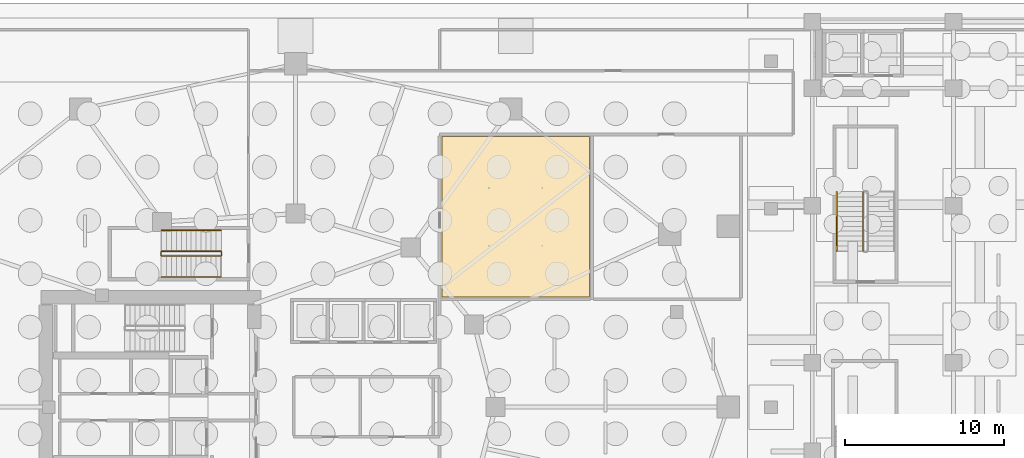
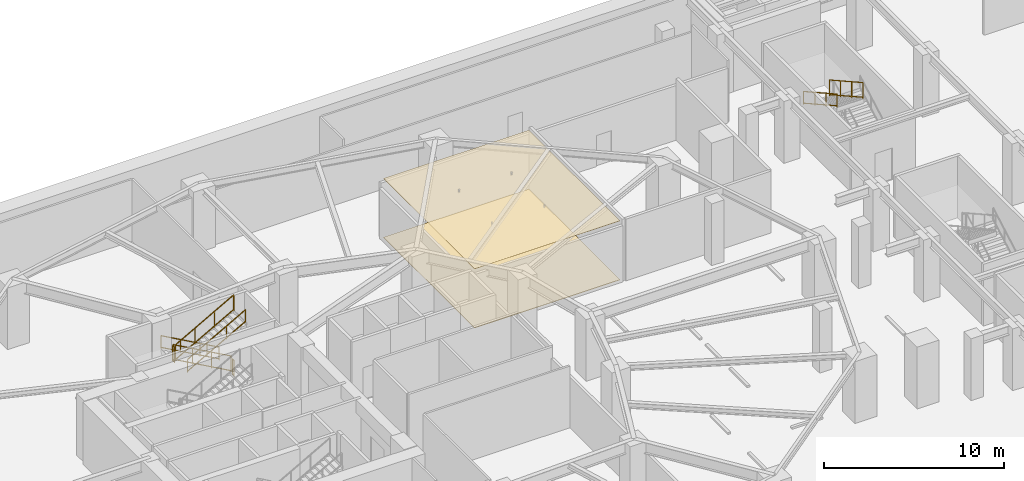
# One storey, part 16 of 19: 8 railings, 2 coverings.
"""IFC4 building model written with IfcOpenShell, lengths in metres."""

from ifc_helpers import new_model, si_unit, direction, frame, origin, origin_2d, place, context, subcontext, project, spatial, polyline, rectangle, outline, extrude, material, layer, layer_set, type_object, element, save


model = new_model("IFC4")

# Units and contexts
model_context = context("Model", 3, precision=1e-05, world=origin(), true_north=direction((0.0, 1.0)))
body_context = subcontext(model_context, "Body", "Model", "MODEL_VIEW")
ifc_project = project(units=[si_unit("LENGTHUNIT", "METRE"), si_unit("AREAUNIT", "SQUARE_METRE"), si_unit("VOLUMEUNIT", "CUBIC_METRE"), si_unit("PLANEANGLEUNIT", "RADIAN"), si_unit("MASSUNIT", "GRAM", prefix="KILO")], contexts=[model_context])

# Site, building, storey
site_placement = place(None, origin())
site = spatial("IfcSite", under=ifc_project, at=site_placement, CompositionType="ELEMENT")
building_placement = place(site_placement, origin())
building = spatial("IfcBuilding", under=site, at=building_placement, Name="Kolvaren Gate Tower and Convention Centre", CompositionType="ELEMENT")
storey_placement = place(building_placement, frame((0.0, 0.0, -13.5)))
storey = spatial("IfcBuildingStorey", under=building, at=storey_placement, Name="B3", CompositionType="ELEMENT", Elevation=-13.5)

# Coverings
ifc_material_1 = material(Name="Perforated Mineral-Fibre Acoustic Ceiling Tile 18 mm", Category="gypsum")
ifc_layer_1 = layer(ifc_material_1, 0.01806640625)
ifc_layer_set_1 = layer_set([ifc_layer_1], Name="Perforated Mineral-Fibre Acoustic Ceiling Tile 18 mm")
covering_type_1 = type_object("IfcCoveringType", Name="ARCH-COV-CEIL-18", PredefinedType="CEILING", material=ifc_layer_set_1)
covering_1_placement = place(storey_placement, frame((0.0, 0.0, 4.0)))
element("IfcCovering", 1, at=covering_1_placement, inside=storey, type_object=covering_type_1, Name="Fire-Protection Cistern and Domestic Water Booster Plant Acoustic Suspended Ceiling", PredefinedType="CEILING", context=body_context, shape_type="SweptSolid", body=[
    extrude(outline(polyline([(39.340087890625, 33.93994140625), (39.340087890625, 44.06005859375), (48.659912109375, 44.06005859375), (48.659912109375, 33.93994140625), (39.340087890625, 33.93994140625)])), origin(), (0.0, 0.0, 1.0), 0.01806640625),
])
ifc_material_2 = material(Name="Honed Sabana Limestone Terrazzo Flooring 30 mm", Category="masonry")
ifc_layer_2 = layer(ifc_material_2, 0.030029296875)
ifc_layer_set_2 = layer_set([ifc_layer_2], Name="Honed Sabana Limestone Terrazzo Flooring 30 mm")
covering_type_2 = type_object("IfcCoveringType", Name="ARCH-COV-FLR-30", PredefinedType="FLOORING", material=ifc_layer_set_2)
covering_2_placement = place(storey_placement, origin())
element("IfcCovering", 2, at=covering_2_placement, inside=storey, type_object=covering_type_2, Name="Fire-Protection Cistern and Domestic Water Booster Plant Interior Finish Flooring", PredefinedType="FLOORING", context=body_context, shape_type="SweptSolid", body=[
    extrude(outline(polyline([(39.340087890625, 33.93994140625), (39.340087890625, 44.06005859375), (48.659912109375, 44.06005859375), (48.659912109375, 33.93994140625), (39.340087890625, 33.93994140625)])), origin(), (0.0, 0.0, 1.0), 0.030029296875),
])

# Railings
ifc_material_3 = material(Name="Brushed Stainless Steel Grade 316L", Category="steel")
railing_type_1 = type_object("IfcRailingType", Name="ARCH-RL-GUARD-1150", PredefinedType="GUARDRAIL", material=ifc_material_3)
railing_1_placement = place(storey_placement, frame((25.39990234375, 36.830078125, 0.173095703125)))
element("IfcRailing", 3, at=railing_1_placement, inside=storey, type_object=railing_type_1, Name="B3 ST-T3 stair guard 1", PredefinedType="GUARDRAIL", context=body_context, shape_type="SweptSolid", body=[
    extrude(rectangle(XDim=0.048095703125, YDim=0.048095703125, at=origin_2d()), frame((0.0, 0.0, 1.076171875), z_axis=(-0.873133609054, 0.0, 0.487480974747), x_axis=(0.0, -1.0, 0.0)), (0.0, 0.0, 1.0), 4.260498046875),
    extrude(rectangle(XDim=0.048095703125, YDim=0.048095703125, at=origin_2d()), frame((0.0, 0.0, 0.083984375), z_axis=(-0.873133609054, 0.0, 0.487480974747), x_axis=(0.0, -1.0, 0.0)), (0.0, 0.0, 1.0), 4.260498046875),
    extrude(rectangle(XDim=0.0419921875, YDim=0.0419921875, at=origin_2d()), origin(), (0.0, 0.0, 1.0), 1.050048828125),
    extrude(rectangle(XDim=0.0419921875, YDim=0.0419921875, at=origin_2d()), frame((-3.719970703125, 0.0, 2.076904296875)), (0.0, 0.0, 1.0), 1.050048828125),
    extrude(rectangle(XDim=0.0419921875, YDim=0.0419921875, at=origin_2d()), frame((-1.239990234375, 0.0, 0.6923828125)), (0.0, 0.0, 1.0), 1.050048828125),
    extrude(rectangle(XDim=0.0419921875, YDim=0.0419921875, at=origin_2d()), frame((-2.47998046875, 0.0, 1.384521484375)), (0.0, 0.0, 1.0), 1.050048828125),
])
railing_2_placement = place(storey_placement, frame((21.6298828125, 36.780029296875, 2.25)))
element("IfcRailing", 4, at=railing_2_placement, inside=storey, type_object=railing_type_1, Name="B3 ST-T3 stair guard 2", PredefinedType="GUARDRAIL", context=body_context, shape_type="SweptSolid", body=[
    extrude(rectangle(XDim=0.048095703125, YDim=0.048095703125, at=origin_2d()), frame((0.0, 0.0, 1.076171875), z_axis=(0.0, -1.0, 0.0), x_axis=(1.0, 0.0, 0.0)), (0.0, 0.0, 1.0), 0.199951171875),
    extrude(rectangle(XDim=0.048095703125, YDim=0.048095703125, at=origin_2d()), frame((0.0, 0.0, 0.083984375), z_axis=(0.0, -1.0, 0.0), x_axis=(1.0, 0.0, 0.0)), (0.0, 0.0, 1.0), 0.199951171875),
    extrude(rectangle(XDim=0.0419921875, YDim=0.0419921875, at=origin_2d()), origin(), (0.0, 0.0, 1.0), 1.050048828125),
    extrude(rectangle(XDim=0.0419921875, YDim=0.0419921875, at=origin_2d()), frame((0.0, -0.199951171875, 0.0)), (0.0, 0.0, 1.0), 1.050048828125),
])
railing_3_placement = place(storey_placement, frame((21.679931640625, 36.530029296875, 2.423095703125)))
element("IfcRailing", 5, at=railing_3_placement, inside=storey, type_object=railing_type_1, Name="B3 ST-T3 stair guard 3", PredefinedType="GUARDRAIL", context=body_context, shape_type="SweptSolid", body=[
    extrude(rectangle(XDim=0.048095703125, YDim=0.048095703125, at=origin_2d()), frame((0.0, 0.0, 1.076171875), z_axis=(0.873133609054, 0.0, 0.487480974747), x_axis=(0.0, 1.0, 0.0)), (0.0, 0.0, 1.0), 4.260498046875),
    extrude(rectangle(XDim=0.048095703125, YDim=0.048095703125, at=origin_2d()), frame((0.0, 0.0, 0.083984375), z_axis=(0.873133609054, 0.0, 0.487480974747), x_axis=(0.0, 1.0, 0.0)), (0.0, 0.0, 1.0), 4.260498046875),
    extrude(rectangle(XDim=0.0419921875, YDim=0.0419921875, at=origin_2d()), origin(), (0.0, 0.0, 1.0), 1.050048828125),
    extrude(rectangle(XDim=0.0419921875, YDim=0.0419921875, at=origin_2d()), frame((3.719970703125, 0.0, 2.076904296875)), (0.0, 0.0, 1.0), 1.050048828125),
    extrude(rectangle(XDim=0.0419921875, YDim=0.0419921875, at=origin_2d()), frame((1.239990234375, 0.0, 0.6923828125)), (0.0, 0.0, 1.0), 1.050048828125),
    extrude(rectangle(XDim=0.0419921875, YDim=0.0419921875, at=origin_2d()), frame((2.47998046875, 0.0, 1.384521484375)), (0.0, 0.0, 1.0), 1.050048828125),
])
railing_4_placement = place(storey_placement, frame((25.449951171875, 36.780029296875, 0.0)))
element("IfcRailing", 6, at=railing_4_placement, inside=storey, type_object=railing_type_1, Name="B3 ST-T3 stair guard 4", PredefinedType="GUARDRAIL", context=body_context, shape_type="SweptSolid", body=[
    extrude(rectangle(XDim=0.048095703125, YDim=0.048095703125, at=origin_2d()), frame((0.0, 0.0, 1.076171875), z_axis=(0.0, -1.0, 0.0), x_axis=(1.0, 0.0, 0.0)), (0.0, 0.0, 1.0), 0.199951171875),
    extrude(rectangle(XDim=0.048095703125, YDim=0.048095703125, at=origin_2d()), frame((0.0, 0.0, 0.083984375), z_axis=(0.0, -1.0, 0.0), x_axis=(1.0, 0.0, 0.0)), (0.0, 0.0, 1.0), 0.199951171875),
    extrude(rectangle(XDim=0.0419921875, YDim=0.0419921875, at=origin_2d()), origin(), (0.0, 0.0, 1.0), 1.050048828125),
    extrude(rectangle(XDim=0.0419921875, YDim=0.0419921875, at=origin_2d()), frame((0.0, -0.199951171875, 0.0)), (0.0, 0.0, 1.0), 1.050048828125),
])
railing_5_placement = place(storey_placement, frame((65.89990234375, 40.570068359375, 2.423095703125)))
element("IfcRailing", 7, at=railing_5_placement, inside=storey, type_object=railing_type_1, Name="B3 ST-C1 stair guard 3", PredefinedType="GUARDRAIL", context=body_context, shape_type="SweptSolid", body=[
    extrude(rectangle(XDim=0.048095703125, YDim=0.048095703125, at=origin_2d()), frame((0.0, 0.0, 1.076171875), z_axis=(0.0, -0.873133609054, 0.487480974747), x_axis=(1.0, 0.0, 0.0)), (0.0, 0.0, 1.0), 4.260498046875),
    extrude(rectangle(XDim=0.048095703125, YDim=0.048095703125, at=origin_2d()), frame((0.0, 0.0, 0.083984375), z_axis=(0.0, -0.873133609054, 0.487480974747), x_axis=(1.0, 0.0, 0.0)), (0.0, 0.0, 1.0), 4.260498046875),
    extrude(rectangle(XDim=0.0419921875, YDim=0.0419921875, at=origin_2d()), origin(), (0.0, 0.0, 1.0), 1.050048828125),
    extrude(rectangle(XDim=0.0419921875, YDim=0.0419921875, at=origin_2d()), frame((0.0, -3.719970703125, 2.076904296875)), (0.0, 0.0, 1.0), 1.050048828125),
    extrude(rectangle(XDim=0.0419921875, YDim=0.0419921875, at=origin_2d()), frame((0.0, -1.239990234375, 0.6923828125)), (0.0, 0.0, 1.0), 1.050048828125),
    extrude(rectangle(XDim=0.0419921875, YDim=0.0419921875, at=origin_2d()), frame((0.0, -2.47998046875, 1.384521484375)), (0.0, 0.0, 1.0), 1.050048828125),
])
railing_type_2 = type_object("IfcRailingType", Name="ARCH-RL-HANDRAIL-920", PredefinedType="HANDRAIL", material=ifc_material_3)
railing_6_placement = place(storey_placement, frame((25.39990234375, 38.14990234375, 0.173095703125)))
element("IfcRailing", 8, at=railing_6_placement, inside=storey, type_object=railing_type_2, Name="B3 ST-T3 stair handrail 1", PredefinedType="HANDRAIL", context=body_context, shape_type="SweptSolid", body=[
    extrude(rectangle(XDim=0.048095703125, YDim=0.048095703125, at=origin_2d()), frame((0.0, 0.0, 0.8759765625), z_axis=(-0.873133609054, 0.0, 0.487480974747), x_axis=(0.0, -1.0, 0.0)), (0.0, 0.0, 1.0), 4.260498046875),
    extrude(rectangle(XDim=0.048095703125, YDim=0.048095703125, at=origin_2d()), frame((0.0, 0.0, 0.083984375), z_axis=(-0.873133609054, 0.0, 0.487480974747), x_axis=(0.0, -1.0, 0.0)), (0.0, 0.0, 1.0), 4.260498046875),
    extrude(rectangle(XDim=0.0419921875, YDim=0.0419921875, at=origin_2d()), origin(), (0.0, 0.0, 1.0), 0.849853515625),
    extrude(rectangle(XDim=0.0419921875, YDim=0.0419921875, at=origin_2d()), frame((-3.719970703125, 0.0, 2.076904296875)), (0.0, 0.0, 1.0), 0.849853515625),
    extrude(rectangle(XDim=0.0419921875, YDim=0.0419921875, at=origin_2d()), frame((-1.239990234375, 0.0, 0.6923828125)), (0.0, 0.0, 1.0), 0.849853515625),
    extrude(rectangle(XDim=0.0419921875, YDim=0.0419921875, at=origin_2d()), frame((-2.47998046875, 0.0, 1.384521484375)), (0.0, 0.0, 1.0), 0.849853515625),
])
railing_7_placement = place(storey_placement, frame((21.679931640625, 35.2099609375, 2.423095703125)))
element("IfcRailing", 9, at=railing_7_placement, inside=storey, type_object=railing_type_2, Name="B3 ST-T3 stair handrail 2", PredefinedType="HANDRAIL", context=body_context, shape_type="SweptSolid", body=[
    extrude(rectangle(XDim=0.048095703125, YDim=0.048095703125, at=origin_2d()), frame((0.0, 0.0, 0.8759765625), z_axis=(0.873133609054, 0.0, 0.487480974747), x_axis=(0.0, 1.0, 0.0)), (0.0, 0.0, 1.0), 4.260498046875),
    extrude(rectangle(XDim=0.048095703125, YDim=0.048095703125, at=origin_2d()), frame((0.0, 0.0, 0.083984375), z_axis=(0.873133609054, 0.0, 0.487480974747), x_axis=(0.0, 1.0, 0.0)), (0.0, 0.0, 1.0), 4.260498046875),
    extrude(rectangle(XDim=0.0419921875, YDim=0.0419921875, at=origin_2d()), origin(), (0.0, 0.0, 1.0), 0.849853515625),
    extrude(rectangle(XDim=0.0419921875, YDim=0.0419921875, at=origin_2d()), frame((3.719970703125, 0.0, 2.076904296875)), (0.0, 0.0, 1.0), 0.849853515625),
    extrude(rectangle(XDim=0.0419921875, YDim=0.0419921875, at=origin_2d()), frame((1.239990234375, 0.0, 0.6923828125)), (0.0, 0.0, 1.0), 0.849853515625),
    extrude(rectangle(XDim=0.0419921875, YDim=0.0419921875, at=origin_2d()), frame((2.47998046875, 0.0, 1.384521484375)), (0.0, 0.0, 1.0), 0.849853515625),
])
railing_8_placement = place(storey_placement, frame((64.25, 40.570068359375, 2.423095703125)))
element("IfcRailing", 10, at=railing_8_placement, inside=storey, type_object=railing_type_2, Name="B3 ST-C1 stair handrail 2", PredefinedType="HANDRAIL", context=body_context, shape_type="SweptSolid", body=[
    extrude(rectangle(XDim=0.048095703125, YDim=0.048095703125, at=origin_2d()), frame((0.0, 0.0, 0.8759765625), z_axis=(0.0, -0.873133609054, 0.487480974747), x_axis=(1.0, 0.0, 0.0)), (0.0, 0.0, 1.0), 4.260498046875),
    extrude(rectangle(XDim=0.048095703125, YDim=0.048095703125, at=origin_2d()), frame((0.0, 0.0, 0.083984375), z_axis=(0.0, -0.873133609054, 0.487480974747), x_axis=(1.0, 0.0, 0.0)), (0.0, 0.0, 1.0), 4.260498046875),
    extrude(rectangle(XDim=0.0419921875, YDim=0.0419921875, at=origin_2d()), origin(), (0.0, 0.0, 1.0), 0.849853515625),
    extrude(rectangle(XDim=0.0419921875, YDim=0.0419921875, at=origin_2d()), frame((0.0, -3.719970703125, 2.076904296875)), (0.0, 0.0, 1.0), 0.849853515625),
    extrude(rectangle(XDim=0.0419921875, YDim=0.0419921875, at=origin_2d()), frame((0.0, -1.239990234375, 0.6923828125)), (0.0, 0.0, 1.0), 0.849853515625),
    extrude(rectangle(XDim=0.0419921875, YDim=0.0419921875, at=origin_2d()), frame((0.0, -2.47998046875, 1.384521484375)), (0.0, 0.0, 1.0), 0.849853515625),
])

save(model, "model.ifc")
